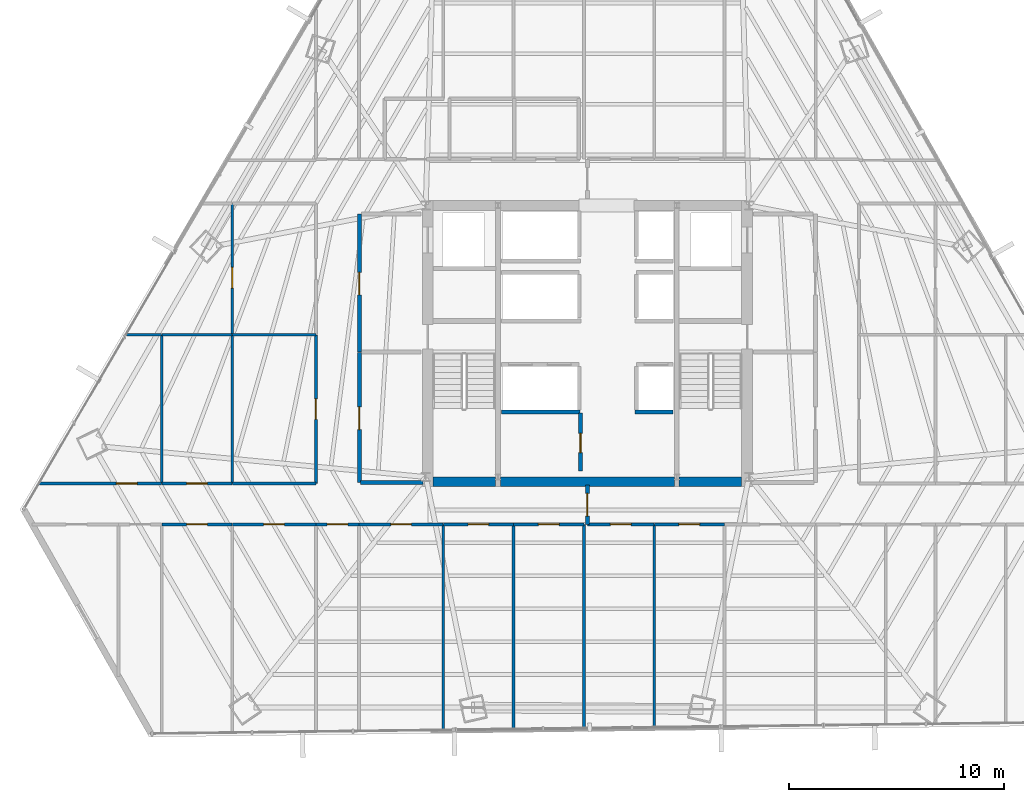
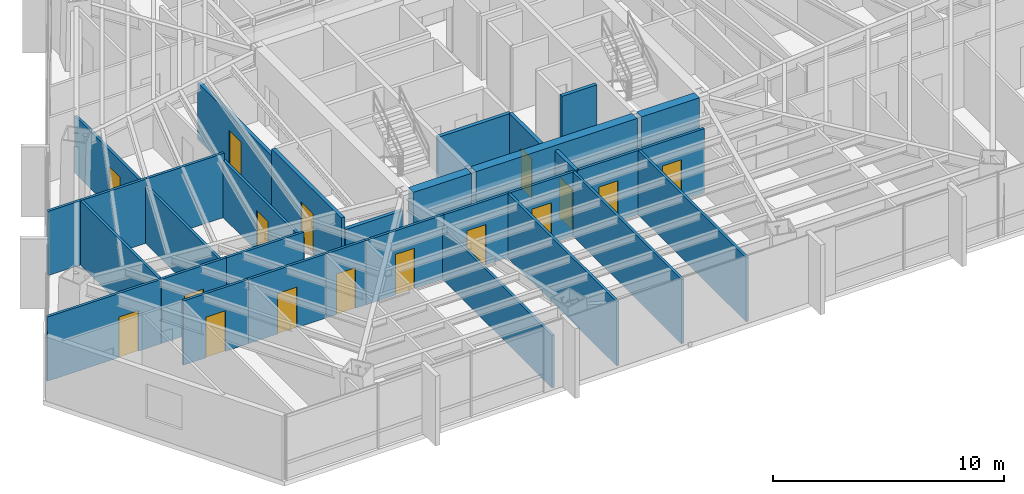
# One storey, part 31 of 37: 32 walls, 16 doors, 16 openings.
"""IFC4 building model written with IfcOpenShell, lengths in metres."""

from ifc_helpers import new_model, si_unit, direction, frame, frame_2d, origin, place, context, subcontext, project, spatial, rectangle, extrude, material, layer, layer_set, type_object, element, fill, save


model = new_model("IFC4")

# Units and contexts
model_context = context("Model", 3, precision=1e-05, world=origin(), true_north=direction((0.0, 1.0)))
body_context = subcontext(model_context, "Body", "Model", "MODEL_VIEW")
ifc_project = project(units=[si_unit("LENGTHUNIT", "METRE"), si_unit("AREAUNIT", "SQUARE_METRE"), si_unit("VOLUMEUNIT", "CUBIC_METRE"), si_unit("PLANEANGLEUNIT", "RADIAN"), si_unit("MASSUNIT", "GRAM", prefix="KILO")], contexts=[model_context])

# Site, building, storey
site_placement = place(None, origin())
site = spatial("IfcSite", under=ifc_project, at=site_placement, CompositionType="ELEMENT")
building_placement = place(site_placement, origin())
building = spatial("IfcBuilding", under=site, at=building_placement, Name="Caelisora Broadcast Tower", CompositionType="ELEMENT")
storey_placement = place(building_placement, frame((0.0, 0.0, 120.0)))
storey = spatial("IfcBuildingStorey", under=building, at=storey_placement, Name="L31", CompositionType="ELEMENT", Elevation=120.0)

# Walls
ifc_material_1 = material(Name="Concrete 50 MPa (AS 3600 S50)", Category="concrete")
ifc_layer_1 = layer(ifc_material_1, 0.449951171875, Name="Concrete 50 MPa (AS 3600 S50)")
ifc_layer_set_1 = layer_set([ifc_layer_1], Name="Concrete 50 MPa (AS 3600 S50)")
wall_type_1 = type_object("IfcWallType", Name="CW5", PredefinedType="SHEAR", material=ifc_layer_set_1)
wall_1_placement = place(storey_placement, frame((30.840087890625, 17.175048828125, 0.0), z_axis=(0.0, 0.0, 1.0), x_axis=(1.0, 0.0, 0.0)))
element("IfcWall", 1, at=wall_1_placement, inside=storey, type_object=wall_type_1, Name="L31 core shear wall CW5", PredefinedType="SHEAR", context=body_context, shape_type="SweptSolid", body=[
    extrude(rectangle(XDim=2.89990234375, YDim=0.449951171875, at=frame_2d((1.449951171875, 0.0))), origin(), (0.0, 0.0, 1.0), 3.64990234375),
])
wall_2_placement = place(storey_placement, frame((33.9599609375, 17.175048828125, 0.0), z_axis=(0.0, 0.0, 1.0), x_axis=(1.0, 0.0, 0.0)))
element("IfcWall", 2, at=wall_2_placement, inside=storey, type_object=wall_type_1, Name="L31 core shear wall CW5", PredefinedType="SHEAR", context=body_context, shape_type="SweptSolid", body=[
    extrude(rectangle(XDim=8.080078125, YDim=0.449951171875, at=frame_2d((4.0400390625, 0.0))), origin(), (0.0, 0.0, 1.0), 3.64990234375),
])
wall_3_placement = place(storey_placement, frame((42.260009765625, 17.175048828125, 0.0), z_axis=(0.0, 0.0, 1.0), x_axis=(1.0, 0.0, 0.0)))
element("IfcWall", 3, at=wall_3_placement, inside=storey, type_object=wall_type_1, Name="L31 core shear wall CW5", PredefinedType="SHEAR", context=body_context, shape_type="SweptSolid", body=[
    extrude(rectangle(XDim=2.89990234375, YDim=0.449951171875, at=frame_2d((1.449951171875, 0.0))), origin(), (0.0, 0.0, 1.0), 3.64990234375),
])

# Wall, opening, door
ifc_material_2 = material(Name="Fire-Rated Gypsum Shaft and Compartment Wall", Category="gypsum")
ifc_layer_2 = layer(ifc_material_2, 0.179931640625, Name="Fire-Rated Gypsum Shaft and Compartment Wall")
ifc_layer_set_2 = layer_set([ifc_layer_2], Name="Fire-Rated Gypsum Shaft and Compartment Wall")
wall_type_2 = type_object("IfcWallType", Name="PW2", PredefinedType="PARTITIONING", material=ifc_layer_set_2)
wall_4_placement = place(storey_placement, frame((27.419921875, 23.199951171875, 0.0), z_axis=(0.0, 0.0, 1.0), x_axis=(0.0, 1.0, 0.0)))
wall_4 = element("IfcWall", 4, at=wall_4_placement, inside=storey, type_object=wall_type_2, Name="L31 fire compartment wall PW2", PredefinedType="PARTITIONING", context=body_context, shape_type="SweptSolid", body=[
    extrude(rectangle(XDim=6.400146484375, YDim=0.179931640625, at=frame_2d((3.2001953125, 0.0))), origin(), (0.0, 0.0, 1.0), 3.0263671875),
])
opening_1_placement = place(wall_4_placement, frame((2.64990234375, 0.0, 0.0)))
opening_1 = element("IfcOpeningElement", 5, at=opening_1_placement, cuts=wall_4, Name="Opening FD02", PredefinedType="OPENING", context=body_context, shape_type="SweptSolid", body=[
    extrude(rectangle(XDim=1.050048828125, YDim=2.14990234375, at=frame_2d((0.52490234375, 1.074951171875))), frame((0.0, 0.10205078125, 0.0), z_axis=(0.0, -1.0, 0.0), x_axis=(1.0, 0.0, 0.0)), (0.0, 0.0, 1.0), 0.203857421875),
])
ifc_material_3 = material(Name="Single-Leaf Steel Fire Lobby Door", Category="steel")
door_type_1 = type_object("IfcDoorType", Name="FD02", OperationType="NOTDEFINED", PredefinedType="DOOR", material=ifc_material_3)
door_1_placement = place(opening_1_placement, origin())
door_1 = element("IfcDoor", 6, at=door_1_placement, inside=storey, type_object=door_type_1, Name="L31 door FD02 (L31-DR-P01D1)", OperationType="SINGLE_SWING_LEFT", OverallHeight=2.14990234375, OverallWidth=1.050048828125, PredefinedType="DOOR", context=body_context, shape_type="SweptSolid", body=[
    extrude(rectangle(XDim=1.050048828125, YDim=2.14990234375, at=frame_2d((0.52490234375, 1.074951171875))), frame((0.0, 0.02490234375, 0.0), z_axis=(0.0, -1.0, 0.0), x_axis=(1.0, 0.0, 0.0)), (0.0, 0.0, 1.0), 0.050048828125),
])
fill(opening_1, door_1)

# Walls
wall_5_placement = place(storey_placement, frame((34.02001953125, 20.419921875, 0.0), z_axis=(0.0, 0.0, 1.0), x_axis=(1.0, 0.0, 0.0)))
element("IfcWall", 7, at=wall_5_placement, inside=storey, type_object=wall_type_2, Name="L31 fire compartment wall PW2", PredefinedType="PARTITIONING", context=body_context, shape_type="SweptSolid", body=[
    extrude(rectangle(XDim=3.639892578125, YDim=0.179931640625, at=frame_2d((1.81982421875, 0.0))), origin(), (0.0, 0.0, 1.0), 3.39990234375),
])
wall_6_placement = place(storey_placement, frame((40.219970703125, 20.419921875, 0.0), z_axis=(0.0, 0.0, 1.0), x_axis=(1.0, 0.0, 0.0)))
element("IfcWall", 8, at=wall_6_placement, inside=storey, type_object=wall_type_2, Name="L31 fire compartment wall PW2", PredefinedType="PARTITIONING", context=body_context, shape_type="SweptSolid", body=[
    extrude(rectangle(XDim=1.760009765625, YDim=0.179931640625, at=frame_2d((0.8798828125, 0.0))), origin(), (0.0, 0.0, 1.0), 3.39990234375),
])

# Wall, opening, door
wall_7_placement = place(storey_placement, frame((37.679931640625, 17.679931640625, 0.0), z_axis=(0.0, 0.0, 1.0), x_axis=(0.0, 1.0, 0.0)))
wall_7 = element("IfcWall", 9, at=wall_7_placement, inside=storey, type_object=wall_type_2, Name="L31 fire compartment wall PW2", PredefinedType="PARTITIONING", context=body_context, shape_type="SweptSolid", body=[
    extrude(rectangle(XDim=2.699951171875, YDim=0.179931640625, at=frame_2d((1.35009765625, 0.0))), origin(), (0.0, 0.0, 1.0), 3.39990234375),
])
opening_2_placement = place(wall_7_placement, frame((0.85009765625, 0.0, 0.0)))
opening_2 = element("IfcOpeningElement", 10, at=opening_2_placement, cuts=wall_7, Name="Opening FD03", PredefinedType="OPENING", context=body_context, shape_type="SweptSolid", body=[
    extrude(rectangle(XDim=0.89990234375, YDim=2.10009765625, at=frame_2d((0.449951171875, 1.050048828125))), frame((0.0, 0.10205078125, 0.0), z_axis=(0.0, -1.0, 0.0), x_axis=(1.0, 0.0, 0.0)), (0.0, 0.0, 1.0), 0.203857421875),
])
ifc_material_4 = material(Name="Single-Leaf Steel Riser Fire Access Door", Category="steel")
door_type_2 = type_object("IfcDoorType", Name="FD03", OperationType="NOTDEFINED", PredefinedType="DOOR", material=ifc_material_4)
door_2_placement = place(opening_2_placement, origin())
door_2 = element("IfcDoor", 11, at=door_2_placement, inside=storey, type_object=door_type_2, Name="L31 door FD03 (L31-DR-P11D1)", OperationType="SINGLE_SWING_LEFT", OverallHeight=2.10009765625, OverallWidth=0.89990234375, PredefinedType="DOOR", context=body_context, shape_type="SweptSolid", body=[
    extrude(rectangle(XDim=0.89990234375, YDim=2.10009765625, at=frame_2d((0.449951171875, 1.050048828125))), frame((0.0, 0.02490234375, 0.0), z_axis=(0.0, -1.0, 0.0), x_axis=(1.0, 0.0, 0.0)), (0.0, 0.0, 1.0), 0.050048828125),
])
fill(opening_2, door_2)

wall_8_placement = place(storey_placement, frame((27.419921875, 17.14990234375, 0.0), z_axis=(0.0, 0.0, 1.0), x_axis=(0.0, 1.0, 0.0)))
wall_8 = element("IfcWall", 12, at=wall_8_placement, inside=storey, type_object=wall_type_2, Name="L31 fire compartment wall PW2", PredefinedType="PARTITIONING", context=body_context, shape_type="SweptSolid", body=[
    extrude(rectangle(XDim=6.030029296875, YDim=0.179931640625, at=frame_2d((3.01513671875, 0.0))), origin(), (0.0, 0.0, 1.0), 3.39990234375),
])
opening_3_placement = place(wall_8_placement, frame((2.449951171875, 0.0, 0.0)))
opening_3 = element("IfcOpeningElement", 13, at=opening_3_placement, cuts=wall_8, Name="Opening FD02", PredefinedType="OPENING", context=body_context, shape_type="SweptSolid", body=[
    extrude(rectangle(XDim=1.050048828125, YDim=2.14990234375, at=frame_2d((0.52490234375, 1.074951171875))), frame((0.0, 0.10205078125, 0.0), z_axis=(0.0, -1.0, 0.0), x_axis=(1.0, 0.0, 0.0)), (0.0, 0.0, 1.0), 0.203857421875),
])
door_3_placement = place(opening_3_placement, origin())
door_3 = element("IfcDoor", 14, at=door_3_placement, inside=storey, type_object=door_type_1, Name="L31 door FD02 (L31-DR-P12D1)", OperationType="SINGLE_SWING_RIGHT", OverallHeight=2.14990234375, OverallWidth=1.050048828125, PredefinedType="DOOR", context=body_context, shape_type="SweptSolid", body=[
    extrude(rectangle(XDim=1.050048828125, YDim=2.14990234375, at=frame_2d((0.52490234375, 1.074951171875))), frame((0.0, 0.02490234375, 0.0), z_axis=(0.0, -1.0, 0.0), x_axis=(1.0, 0.0, 0.0)), (0.0, 0.0, 1.0), 0.050048828125),
])
fill(opening_3, door_3)

# Wall
wall_9_placement = place(storey_placement, frame((27.47998046875, 17.14990234375, 0.0), z_axis=(0.0, 0.0, 1.0), x_axis=(1.0, 0.0, 0.0)))
element("IfcWall", 15, at=wall_9_placement, inside=storey, type_object=wall_type_2, Name="L31 fire compartment wall PW2", PredefinedType="PARTITIONING", context=body_context, shape_type="SweptSolid", body=[
    extrude(rectangle(XDim=2.89990234375, YDim=0.179931640625, at=frame_2d((1.449951171875, 0.0))), origin(), (0.0, 0.0, 1.0), 2.78271484375),
])

# Wall, opening, door
wall_10_placement = place(storey_placement, frame((38.0, 15.205078125, 0.0), z_axis=(0.0, 0.0, 1.0), x_axis=(0.0, 1.0, 0.0)))
wall_10 = element("IfcWall", 16, at=wall_10_placement, inside=storey, type_object=wall_type_2, Name="L31 fire compartment wall PW2", PredefinedType="PARTITIONING", context=body_context, shape_type="SweptSolid", body=[
    extrude(rectangle(XDim=1.81982421875, YDim=0.179931640625, at=frame_2d((0.909912109375, 0.0))), origin(), (0.0, 0.0, 1.0), 3.39990234375),
])
opening_4_placement = place(wall_10_placement, frame((0.385009765625, 0.0, 0.0)))
opening_4 = element("IfcOpeningElement", 17, at=opening_4_placement, cuts=wall_10, Name="Opening FD02", PredefinedType="OPENING", context=body_context, shape_type="SweptSolid", body=[
    extrude(rectangle(XDim=1.050048828125, YDim=2.14990234375, at=frame_2d((0.52490234375, 1.074951171875))), frame((0.0, 0.10205078125, 0.0), z_axis=(0.0, -1.0, 0.0), x_axis=(1.0, 0.0, 0.0)), (0.0, 0.0, 1.0), 0.203857421875),
])
door_4_placement = place(opening_4_placement, origin())
door_4 = element("IfcDoor", 18, at=door_4_placement, inside=storey, type_object=door_type_1, Name="L31 door FD02 (L31-DR-P92D1)", OperationType="SINGLE_SWING_RIGHT", OverallHeight=2.14990234375, OverallWidth=1.050048828125, PredefinedType="DOOR", context=body_context, shape_type="SweptSolid", body=[
    extrude(rectangle(XDim=1.050048828125, YDim=2.14990234375, at=frame_2d((0.52490234375, 1.074951171875))), frame((0.0, 0.02490234375, 0.0), z_axis=(0.0, -1.0, 0.0), x_axis=(1.0, 0.0, 0.0)), (0.0, 0.0, 1.0), 0.050048828125),
])
fill(opening_4, door_4)

# Walls
ifc_material_5 = material(Name="Acoustic Steel-Stud Plasterboard Partition", Category="gypsum")
ifc_layer_3 = layer(ifc_material_5, 0.1298828125, Name="Acoustic Steel-Stud Plasterboard Partition")
ifc_layer_set_3 = layer_set([ifc_layer_3], Name="Acoustic Steel-Stud Plasterboard Partition")
wall_type_3 = type_object("IfcWallType", Name="PW3", PredefinedType="PARTITIONING", material=ifc_layer_set_3)
wall_11_placement = place(storey_placement, frame((31.31005859375, 5.65185546875, 0.0), z_axis=(0.0, 0.0, 1.0), x_axis=(0.0, 1.0, 0.0)))
element("IfcWall", 19, at=wall_11_placement, inside=storey, type_object=wall_type_3, Name="L31 internal partition PW3", PredefinedType="PARTITIONING", context=body_context, shape_type="SweptSolid", body=[
    extrude(rectangle(XDim=9.543212890625, YDim=0.1298828125, at=frame_2d((4.771484375, 0.0))), origin(), (0.0, 0.0, 1.0), 2.78271484375),
])
wall_12_placement = place(storey_placement, frame((34.570068359375, 5.6923828125, 0.0), z_axis=(0.0, 0.0, 1.0), x_axis=(0.0, 1.0, 0.0)))
element("IfcWall", 20, at=wall_12_placement, inside=storey, type_object=wall_type_3, Name="L31 internal partition PW3", PredefinedType="PARTITIONING", context=body_context, shape_type="SweptSolid", body=[
    extrude(rectangle(XDim=9.502685546875, YDim=0.1298828125, at=frame_2d((4.75146484375, 0.0))), origin(), (0.0, 0.0, 1.0), 3.39990234375),
])
wall_13_placement = place(storey_placement, frame((37.840087890625, 5.733154296875, 0.0), z_axis=(0.0, 0.0, 1.0), x_axis=(0.0, 1.0, 0.0)))
element("IfcWall", 21, at=wall_13_placement, inside=storey, type_object=wall_type_3, Name="L31 internal partition PW3", PredefinedType="PARTITIONING", context=body_context, shape_type="SweptSolid", body=[
    extrude(rectangle(XDim=9.4619140625, YDim=0.1298828125, at=frame_2d((4.73095703125, 0.0))), origin(), (0.0, 0.0, 1.0), 3.39990234375),
])
wall_14_placement = place(storey_placement, frame((41.10009765625, 5.773681640625, 0.0), z_axis=(0.0, 0.0, 1.0), x_axis=(0.0, 1.0, 0.0)))
element("IfcWall", 22, at=wall_14_placement, inside=storey, type_object=wall_type_3, Name="L31 internal partition PW3", PredefinedType="PARTITIONING", context=body_context, shape_type="SweptSolid", body=[
    extrude(rectangle(XDim=9.42138671875, YDim=0.1298828125, at=frame_2d((4.710693359375, 0.0))), origin(), (0.0, 0.0, 1.0), 3.39990234375),
])

# Wall, opening, door
wall_15_placement = place(storey_placement, frame((25.39990234375, 17.10498046875, 0.0), z_axis=(0.0, 0.0, 1.0), x_axis=(0.0, 1.0, 0.0)))
wall_15 = element("IfcWall", 23, at=wall_15_placement, inside=storey, type_object=wall_type_3, Name="L31 internal partition PW3", PredefinedType="PARTITIONING", context=body_context, shape_type="SweptSolid", body=[
    extrude(rectangle(XDim=6.89013671875, YDim=0.1298828125, at=frame_2d((3.445068359375, 0.0))), origin(), (0.0, 0.0, 1.0), 3.0263671875),
])
opening_5_placement = place(wall_15_placement, frame((2.965087890625, 0.0, 0.0)))
opening_5 = element("IfcOpeningElement", 24, at=opening_5_placement, cuts=wall_15, Name="Opening D01", PredefinedType="OPENING", context=body_context, shape_type="SweptSolid", body=[
    extrude(rectangle(XDim=0.9599609375, YDim=2.14990234375, at=frame_2d((0.47998046875, 1.074951171875))), frame((0.0, 0.076904296875, 0.0), z_axis=(0.0, -1.0, 0.0), x_axis=(1.0, 0.0, 0.0)), (0.0, 0.0, 1.0), 0.15380859375),
])
ifc_material_6 = material(Name="Solid-Core Timber Acoustic Office Door", Category="wood")
door_type_3 = type_object("IfcDoorType", Name="D01", OperationType="NOTDEFINED", PredefinedType="DOOR", material=ifc_material_6)
door_5_placement = place(opening_5_placement, origin())
door_5 = element("IfcDoor", 25, at=door_5_placement, inside=storey, type_object=door_type_3, Name="L31 door D01 (L31-DR-P48D1)", OperationType="SINGLE_SWING_LEFT", OverallHeight=2.14990234375, OverallWidth=0.9599609375, PredefinedType="DOOR", context=body_context, shape_type="SweptSolid", body=[
    extrude(rectangle(XDim=0.9599609375, YDim=2.14990234375, at=frame_2d((0.47998046875, 1.074951171875))), frame((0.0, 0.02490234375, 0.0), z_axis=(0.0, -1.0, 0.0), x_axis=(1.0, 0.0, 0.0)), (0.0, 0.0, 1.0), 0.050048828125),
])
fill(opening_5, door_5)

# Walls
wall_16_placement = place(storey_placement, frame((18.25, 17.10498046875, 0.0), z_axis=(0.0, 0.0, 1.0), x_axis=(0.0, 1.0, 0.0)))
element("IfcWall", 26, at=wall_16_placement, inside=storey, type_object=wall_type_3, Name="L31 internal partition PW3", PredefinedType="PARTITIONING", context=body_context, shape_type="SweptSolid", body=[
    extrude(rectangle(XDim=6.89013671875, YDim=0.1298828125, at=frame_2d((3.445068359375, 0.0))), origin(), (0.0, 0.0, 1.0), 3.39990234375),
])
wall_17_placement = place(storey_placement, frame((21.52001953125, 17.10498046875, 0.0), z_axis=(0.0, 0.0, 1.0), x_axis=(0.0, 1.0, 0.0)))
element("IfcWall", 27, at=wall_17_placement, inside=storey, type_object=wall_type_3, Name="L31 internal partition PW3", PredefinedType="PARTITIONING", context=body_context, shape_type="SweptSolid", body=[
    extrude(rectangle(XDim=6.89013671875, YDim=0.1298828125, at=frame_2d((3.445068359375, 0.0))), origin(), (0.0, 0.0, 1.0), 3.0263671875),
])

# Wall, opening, door
wall_18_placement = place(storey_placement, frame((21.52001953125, 24.0048828125, 0.0), z_axis=(0.0, 0.0, 1.0), x_axis=(0.0, 1.0, 0.0)))
wall_18 = element("IfcWall", 28, at=wall_18_placement, inside=storey, type_object=wall_type_3, Name="L31 internal partition PW3", PredefinedType="PARTITIONING", context=body_context, shape_type="SweptSolid", body=[
    extrude(rectangle(XDim=6.090087890625, YDim=0.1298828125, at=frame_2d((3.044921875, 0.0))), origin(), (0.0, 0.0, 1.0), 3.0263671875),
])
opening_6_placement = place(wall_18_placement, frame((2.159912109375, 0.0, 0.0)))
opening_6 = element("IfcOpeningElement", 29, at=opening_6_placement, cuts=wall_18, Name="Opening D01", PredefinedType="OPENING", context=body_context, shape_type="SweptSolid", body=[
    extrude(rectangle(XDim=0.9599609375, YDim=2.14990234375, at=frame_2d((0.47998046875, 1.074951171875))), frame((0.0, 0.076904296875, 0.0), z_axis=(0.0, -1.0, 0.0), x_axis=(1.0, 0.0, 0.0)), (0.0, 0.0, 1.0), 0.15380859375),
])
door_6_placement = place(opening_6_placement, origin())
door_6 = element("IfcDoor", 30, at=door_6_placement, inside=storey, type_object=door_type_3, Name="L31 door D01 (L31-DR-P58D1)", OperationType="SINGLE_SWING_LEFT", OverallHeight=2.14990234375, OverallWidth=0.9599609375, PredefinedType="DOOR", context=body_context, shape_type="SweptSolid", body=[
    extrude(rectangle(XDim=0.9599609375, YDim=2.14990234375, at=frame_2d((0.47998046875, 1.074951171875))), frame((0.0, 0.02490234375, 0.0), z_axis=(0.0, -1.0, 0.0), x_axis=(1.0, 0.0, 0.0)), (0.0, 0.0, 1.0), 0.050048828125),
])
fill(opening_6, door_6)

wall_19_placement = place(storey_placement, frame((12.54150390625, 17.10009765625, 0.0), z_axis=(0.0, 0.0, 1.0), x_axis=(1.0, 0.0, 0.0)))
wall_19 = element("IfcWall", 31, at=wall_19_placement, inside=storey, type_object=wall_type_3, Name="L31 internal partition PW3", PredefinedType="PARTITIONING", context=body_context, shape_type="SweptSolid", body=[
    extrude(rectangle(XDim=5.70361328125, YDim=0.1298828125, at=frame_2d((2.851806640625, 0.0))), origin(), (0.0, 0.0, 1.0), 3.39990234375),
])
opening_7_placement = place(wall_19_placement, frame((3.60009765625, 0.0, 0.0)))
opening_7 = element("IfcOpeningElement", 32, at=opening_7_placement, cuts=wall_19, Name="Opening D01", PredefinedType="OPENING", context=body_context, shape_type="SweptSolid", body=[
    extrude(rectangle(XDim=0.9599609375, YDim=2.14990234375, at=frame_2d((0.47998046875, 1.074951171875))), frame((0.0, 0.076904296875, 0.0), z_axis=(0.0, -1.0, 0.0), x_axis=(1.0, 0.0, 0.0)), (0.0, 0.0, 1.0), 0.15380859375),
])
door_7_placement = place(opening_7_placement, origin())
door_7 = element("IfcDoor", 33, at=door_7_placement, inside=storey, type_object=door_type_3, Name="L31 door D01 (L31-DR-P59D1)", OperationType="SINGLE_SWING_RIGHT", OverallHeight=2.14990234375, OverallWidth=0.9599609375, PredefinedType="DOOR", context=body_context, shape_type="SweptSolid", body=[
    extrude(rectangle(XDim=0.9599609375, YDim=2.14990234375, at=frame_2d((0.47998046875, 1.074951171875))), frame((0.0, 0.02490234375, 0.0), z_axis=(0.0, -1.0, 0.0), x_axis=(1.0, 0.0, 0.0)), (0.0, 0.0, 1.0), 0.050048828125),
])
fill(opening_7, door_7)

wall_20_placement = place(storey_placement, frame((27.405029296875, 15.199951171875, 0.0), z_axis=(0.0, 0.0, 1.0), x_axis=(1.0, 0.0, 0.0)))
wall_20 = element("IfcWall", 34, at=wall_20_placement, inside=storey, type_object=wall_type_3, Name="L31 internal partition PW3", PredefinedType="PARTITIONING", context=body_context, shape_type="SweptSolid", body=[
    extrude(rectangle(XDim=3.89990234375, YDim=0.1298828125, at=frame_2d((1.949951171875, 0.0))), origin(), (0.0, 0.0, 1.0), 3.39990234375),
])
opening_8_placement = place(wall_20_placement, frame((1.469970703125, 0.0, 0.0)))
opening_8 = element("IfcOpeningElement", 35, at=opening_8_placement, cuts=wall_20, Name="Opening D01", PredefinedType="OPENING", context=body_context, shape_type="SweptSolid", body=[
    extrude(rectangle(XDim=0.9599609375, YDim=2.14990234375, at=frame_2d((0.47998046875, 1.074951171875))), frame((0.0, 0.076904296875, 0.0), z_axis=(0.0, -1.0, 0.0), x_axis=(1.0, 0.0, 0.0)), (0.0, 0.0, 1.0), 0.15380859375),
])
door_8_placement = place(opening_8_placement, origin())
door_8 = element("IfcDoor", 36, at=door_8_placement, inside=storey, type_object=door_type_3, Name="L31 door D01 (L31-DR-P64D1)", OperationType="SINGLE_SWING_LEFT", OverallHeight=2.14990234375, OverallWidth=0.9599609375, PredefinedType="DOOR", context=body_context, shape_type="SweptSolid", body=[
    extrude(rectangle(XDim=0.9599609375, YDim=2.14990234375, at=frame_2d((0.47998046875, 1.074951171875))), frame((0.0, 0.02490234375, 0.0), z_axis=(0.0, -1.0, 0.0), x_axis=(1.0, 0.0, 0.0)), (0.0, 0.0, 1.0), 0.050048828125),
])
fill(opening_8, door_8)

# Wall
wall_21_placement = place(storey_placement, frame((21.52490234375, 17.10009765625, 0.0), z_axis=(0.0, 0.0, 1.0), x_axis=(1.0, 0.0, 0.0)))
element("IfcWall", 37, at=wall_21_placement, inside=storey, type_object=wall_type_3, Name="L31 internal partition PW3", PredefinedType="PARTITIONING", context=body_context, shape_type="SweptSolid", body=[
    extrude(rectangle(XDim=3.8701171875, YDim=0.1298828125, at=frame_2d((1.93505859375, 0.0))), origin(), (0.0, 0.0, 1.0), 3.39990234375),
])

# Wall, opening, door
wall_22_placement = place(storey_placement, frame((21.52490234375, 15.199951171875, 0.0), z_axis=(0.0, 0.0, 1.0), x_axis=(1.0, 0.0, 0.0)))
wall_22 = element("IfcWall", 38, at=wall_22_placement, inside=storey, type_object=wall_type_3, Name="L31 internal partition PW3", PredefinedType="PARTITIONING", context=body_context, shape_type="SweptSolid", body=[
    extrude(rectangle(XDim=3.8701171875, YDim=0.1298828125, at=frame_2d((1.93505859375, 0.0))), origin(), (0.0, 0.0, 1.0), 3.39990234375),
])
opening_9_placement = place(wall_22_placement, frame((1.455078125, 0.0, 0.0)))
opening_9 = element("IfcOpeningElement", 39, at=opening_9_placement, cuts=wall_22, Name="Opening D01", PredefinedType="OPENING", context=body_context, shape_type="SweptSolid", body=[
    extrude(rectangle(XDim=0.9599609375, YDim=2.14990234375, at=frame_2d((0.47998046875, 1.074951171875))), frame((0.0, 0.076904296875, 0.0), z_axis=(0.0, -1.0, 0.0), x_axis=(1.0, 0.0, 0.0)), (0.0, 0.0, 1.0), 0.15380859375),
])
door_9_placement = place(opening_9_placement, origin())
door_9 = element("IfcDoor", 40, at=door_9_placement, inside=storey, type_object=door_type_3, Name="L31 door D01 (L31-DR-P68D1)", OperationType="SINGLE_SWING_RIGHT", OverallHeight=2.14990234375, OverallWidth=0.9599609375, PredefinedType="DOOR", context=body_context, shape_type="SweptSolid", body=[
    extrude(rectangle(XDim=0.9599609375, YDim=2.14990234375, at=frame_2d((0.47998046875, 1.074951171875))), frame((0.0, 0.02490234375, 0.0), z_axis=(0.0, -1.0, 0.0), x_axis=(1.0, 0.0, 0.0)), (0.0, 0.0, 1.0), 0.050048828125),
])
fill(opening_9, door_9)

# Wall
wall_23_placement = place(storey_placement, frame((21.52490234375, 24.0, 0.0), z_axis=(0.0, 0.0, 1.0), x_axis=(1.0, 0.0, 0.0)))
element("IfcWall", 41, at=wall_23_placement, inside=storey, type_object=wall_type_3, Name="L31 internal partition PW3", PredefinedType="PARTITIONING", context=body_context, shape_type="SweptSolid", body=[
    extrude(rectangle(XDim=3.8701171875, YDim=0.1298828125, at=frame_2d((1.93505859375, 0.0))), origin(), (0.0, 0.0, 1.0), 3.39990234375),
])

# Wall, opening, door
wall_24_placement = place(storey_placement, frame((34.574951171875, 15.199951171875, 0.0), z_axis=(0.0, 0.0, 1.0), x_axis=(1.0, 0.0, 0.0)))
wall_24 = element("IfcWall", 42, at=wall_24_placement, inside=storey, type_object=wall_type_3, Name="L31 internal partition PW3", PredefinedType="PARTITIONING", context=body_context, shape_type="SweptSolid", body=[
    extrude(rectangle(XDim=3.260009765625, YDim=0.1298828125, at=frame_2d((1.6298828125, 0.0))), origin(), (0.0, 0.0, 1.0), 3.39990234375),
])
opening_10_placement = place(wall_24_placement, frame((1.14990234375, 0.0, 0.0)))
opening_10 = element("IfcOpeningElement", 43, at=opening_10_placement, cuts=wall_24, Name="Opening D01", PredefinedType="OPENING", context=body_context, shape_type="SweptSolid", body=[
    extrude(rectangle(XDim=0.9599609375, YDim=2.14990234375, at=frame_2d((0.47998046875, 1.074951171875))), frame((0.0, 0.076904296875, 0.0), z_axis=(0.0, -1.0, 0.0), x_axis=(1.0, 0.0, 0.0)), (0.0, 0.0, 1.0), 0.15380859375),
])
door_10_placement = place(opening_10_placement, origin())
door_10 = element("IfcDoor", 44, at=door_10_placement, inside=storey, type_object=door_type_3, Name="L31 door D01 (L31-DR-P74D1)", OperationType="SINGLE_SWING_LEFT", OverallHeight=2.14990234375, OverallWidth=0.9599609375, PredefinedType="DOOR", context=body_context, shape_type="SweptSolid", body=[
    extrude(rectangle(XDim=0.9599609375, YDim=2.14990234375, at=frame_2d((0.47998046875, 1.074951171875))), frame((0.0, 0.02490234375, 0.0), z_axis=(0.0, -1.0, 0.0), x_axis=(1.0, 0.0, 0.0)), (0.0, 0.0, 1.0), 0.050048828125),
])
fill(opening_10, door_10)

wall_25_placement = place(storey_placement, frame((18.2548828125, 17.10009765625, 0.0), z_axis=(0.0, 0.0, 1.0), x_axis=(1.0, 0.0, 0.0)))
wall_25 = element("IfcWall", 45, at=wall_25_placement, inside=storey, type_object=wall_type_3, Name="L31 internal partition PW3", PredefinedType="PARTITIONING", context=body_context, shape_type="SweptSolid", body=[
    extrude(rectangle(XDim=3.260009765625, YDim=0.1298828125, at=frame_2d((1.6298828125, 0.0))), origin(), (0.0, 0.0, 1.0), 3.39990234375),
])
opening_11_placement = place(wall_25_placement, frame((1.14990234375, 0.0, 0.0)))
opening_11 = element("IfcOpeningElement", 46, at=opening_11_placement, cuts=wall_25, Name="Opening D01", PredefinedType="OPENING", context=body_context, shape_type="SweptSolid", body=[
    extrude(rectangle(XDim=0.9599609375, YDim=2.14990234375, at=frame_2d((0.47998046875, 1.074951171875))), frame((0.0, 0.076904296875, 0.0), z_axis=(0.0, -1.0, 0.0), x_axis=(1.0, 0.0, 0.0)), (0.0, 0.0, 1.0), 0.15380859375),
])
door_11_placement = place(opening_11_placement, origin())
door_11 = element("IfcDoor", 47, at=door_11_placement, inside=storey, type_object=door_type_3, Name="L31 door D01 (L31-DR-P78D1)", OperationType="SINGLE_SWING_RIGHT", OverallHeight=2.14990234375, OverallWidth=0.9599609375, PredefinedType="DOOR", context=body_context, shape_type="SweptSolid", body=[
    extrude(rectangle(XDim=0.9599609375, YDim=2.14990234375, at=frame_2d((0.47998046875, 1.074951171875))), frame((0.0, 0.02490234375, 0.0), z_axis=(0.0, -1.0, 0.0), x_axis=(1.0, 0.0, 0.0)), (0.0, 0.0, 1.0), 0.050048828125),
])
fill(opening_11, door_11)

wall_26_placement = place(storey_placement, frame((18.2548828125, 15.199951171875, 0.0), z_axis=(0.0, 0.0, 1.0), x_axis=(1.0, 0.0, 0.0)))
wall_26 = element("IfcWall", 48, at=wall_26_placement, inside=storey, type_object=wall_type_3, Name="L31 internal partition PW3", PredefinedType="PARTITIONING", context=body_context, shape_type="SweptSolid", body=[
    extrude(rectangle(XDim=3.260009765625, YDim=0.1298828125, at=frame_2d((1.6298828125, 0.0))), origin(), (0.0, 0.0, 1.0), 3.39990234375),
])
opening_12_placement = place(wall_26_placement, frame((1.14990234375, 0.0, 0.0)))
opening_12 = element("IfcOpeningElement", 49, at=opening_12_placement, cuts=wall_26, Name="Opening D01", PredefinedType="OPENING", context=body_context, shape_type="SweptSolid", body=[
    extrude(rectangle(XDim=0.9599609375, YDim=2.14990234375, at=frame_2d((0.47998046875, 1.074951171875))), frame((0.0, 0.076904296875, 0.0), z_axis=(0.0, -1.0, 0.0), x_axis=(1.0, 0.0, 0.0)), (0.0, 0.0, 1.0), 0.15380859375),
])
door_12_placement = place(opening_12_placement, origin())
door_12 = element("IfcDoor", 50, at=door_12_placement, inside=storey, type_object=door_type_3, Name="L31 door D01 (L31-DR-P79D1)", OperationType="SINGLE_SWING_LEFT", OverallHeight=2.14990234375, OverallWidth=0.9599609375, PredefinedType="DOOR", context=body_context, shape_type="SweptSolid", body=[
    extrude(rectangle(XDim=0.9599609375, YDim=2.14990234375, at=frame_2d((0.47998046875, 1.074951171875))), frame((0.0, 0.02490234375, 0.0), z_axis=(0.0, -1.0, 0.0), x_axis=(1.0, 0.0, 0.0)), (0.0, 0.0, 1.0), 0.050048828125),
])
fill(opening_12, door_12)

# Wall
wall_27_placement = place(storey_placement, frame((18.2548828125, 24.0, 0.0), z_axis=(0.0, 0.0, 1.0), x_axis=(1.0, 0.0, 0.0)))
element("IfcWall", 51, at=wall_27_placement, inside=storey, type_object=wall_type_3, Name="L31 internal partition PW3", PredefinedType="PARTITIONING", context=body_context, shape_type="SweptSolid", body=[
    extrude(rectangle(XDim=3.260009765625, YDim=0.1298828125, at=frame_2d((1.6298828125, 0.0))), origin(), (0.0, 0.0, 1.0), 3.39990234375),
])

# Wall, opening, door
wall_28_placement = place(storey_placement, frame((31.31494140625, 15.199951171875, 0.0), z_axis=(0.0, 0.0, 1.0), x_axis=(1.0, 0.0, 0.0)))
wall_28 = element("IfcWall", 52, at=wall_28_placement, inside=storey, type_object=wall_type_3, Name="L31 internal partition PW3", PredefinedType="PARTITIONING", context=body_context, shape_type="SweptSolid", body=[
    extrude(rectangle(XDim=3.25, YDim=0.1298828125, at=frame_2d((1.625, 0.0))), origin(), (0.0, 0.0, 1.0), 3.39990234375),
])
opening_13_placement = place(wall_28_placement, frame((1.14501953125, 0.0, 0.0)))
opening_13 = element("IfcOpeningElement", 53, at=opening_13_placement, cuts=wall_28, Name="Opening D01", PredefinedType="OPENING", context=body_context, shape_type="SweptSolid", body=[
    extrude(rectangle(XDim=0.9599609375, YDim=2.14990234375, at=frame_2d((0.47998046875, 1.074951171875))), frame((0.0, 0.076904296875, 0.0), z_axis=(0.0, -1.0, 0.0), x_axis=(1.0, 0.0, 0.0)), (0.0, 0.0, 1.0), 0.15380859375),
])
door_13_placement = place(opening_13_placement, origin())
door_13 = element("IfcDoor", 54, at=door_13_placement, inside=storey, type_object=door_type_3, Name="L31 door D01 (L31-DR-P81D1)", OperationType="SINGLE_SWING_RIGHT", OverallHeight=2.14990234375, OverallWidth=0.9599609375, PredefinedType="DOOR", context=body_context, shape_type="SweptSolid", body=[
    extrude(rectangle(XDim=0.9599609375, YDim=2.14990234375, at=frame_2d((0.47998046875, 1.074951171875))), frame((0.0, 0.02490234375, 0.0), z_axis=(0.0, -1.0, 0.0), x_axis=(1.0, 0.0, 0.0)), (0.0, 0.0, 1.0), 0.050048828125),
])
fill(opening_13, door_13)

wall_29_placement = place(storey_placement, frame((41.10498046875, 15.199951171875, 0.0), z_axis=(0.0, 0.0, 1.0), x_axis=(1.0, 0.0, 0.0)))
wall_29 = element("IfcWall", 55, at=wall_29_placement, inside=storey, type_object=wall_type_3, Name="L31 internal partition PW3", PredefinedType="PARTITIONING", context=body_context, shape_type="SweptSolid", body=[
    extrude(rectangle(XDim=3.25, YDim=0.1298828125, at=frame_2d((1.625, 0.0))), origin(), (0.0, 0.0, 1.0), 3.39990234375),
])
opening_14_placement = place(wall_29_placement, frame((1.14501953125, 0.0, 0.0)))
opening_14 = element("IfcOpeningElement", 56, at=opening_14_placement, cuts=wall_29, Name="Opening D01", PredefinedType="OPENING", context=body_context, shape_type="SweptSolid", body=[
    extrude(rectangle(XDim=0.9599609375, YDim=2.14990234375, at=frame_2d((0.47998046875, 1.074951171875))), frame((0.0, 0.076904296875, 0.0), z_axis=(0.0, -1.0, 0.0), x_axis=(1.0, 0.0, 0.0)), (0.0, 0.0, 1.0), 0.15380859375),
])
door_14_placement = place(opening_14_placement, origin())
door_14 = element("IfcDoor", 57, at=door_14_placement, inside=storey, type_object=door_type_3, Name="L31 door D01 (L31-DR-P83D1)", OperationType="SINGLE_SWING_RIGHT", OverallHeight=2.14990234375, OverallWidth=0.9599609375, PredefinedType="DOOR", context=body_context, shape_type="SweptSolid", body=[
    extrude(rectangle(XDim=0.9599609375, YDim=2.14990234375, at=frame_2d((0.47998046875, 1.074951171875))), frame((0.0, 0.02490234375, 0.0), z_axis=(0.0, -1.0, 0.0), x_axis=(1.0, 0.0, 0.0)), (0.0, 0.0, 1.0), 0.050048828125),
])
fill(opening_14, door_14)

wall_30_placement = place(storey_placement, frame((38.0048828125, 15.199951171875, 0.0), z_axis=(0.0, 0.0, 1.0), x_axis=(1.0, 0.0, 0.0)))
wall_30 = element("IfcWall", 58, at=wall_30_placement, inside=storey, type_object=wall_type_3, Name="L31 internal partition PW3", PredefinedType="PARTITIONING", context=body_context, shape_type="SweptSolid", body=[
    extrude(rectangle(XDim=3.090087890625, YDim=0.1298828125, at=frame_2d((1.544921875, 0.0))), origin(), (0.0, 0.0, 1.0), 3.39990234375),
])
opening_15_placement = place(wall_30_placement, frame((1.06494140625, 0.0, 0.0)))
opening_15 = element("IfcOpeningElement", 59, at=opening_15_placement, cuts=wall_30, Name="Opening D01", PredefinedType="OPENING", context=body_context, shape_type="SweptSolid", body=[
    extrude(rectangle(XDim=0.9599609375, YDim=2.14990234375, at=frame_2d((0.47998046875, 1.074951171875))), frame((0.0, 0.076904296875, 0.0), z_axis=(0.0, -1.0, 0.0), x_axis=(1.0, 0.0, 0.0)), (0.0, 0.0, 1.0), 0.15380859375),
])
door_15_placement = place(opening_15_placement, origin())
door_15 = element("IfcDoor", 60, at=door_15_placement, inside=storey, type_object=door_type_3, Name="L31 door D01 (L31-DR-P86D1)", OperationType="SINGLE_SWING_LEFT", OverallHeight=2.14990234375, OverallWidth=0.9599609375, PredefinedType="DOOR", context=body_context, shape_type="SweptSolid", body=[
    extrude(rectangle(XDim=0.9599609375, YDim=2.14990234375, at=frame_2d((0.47998046875, 1.074951171875))), frame((0.0, 0.02490234375, 0.0), z_axis=(0.0, -1.0, 0.0), x_axis=(1.0, 0.0, 0.0)), (0.0, 0.0, 1.0), 0.050048828125),
])
fill(opening_15, door_15)

wall_31_placement = place(storey_placement, frame((25.405029296875, 15.199951171875, 0.0), z_axis=(0.0, 0.0, 1.0), x_axis=(1.0, 0.0, 0.0)))
wall_31 = element("IfcWall", 61, at=wall_31_placement, inside=storey, type_object=wall_type_3, Name="L31 internal partition PW3", PredefinedType="PARTITIONING", context=body_context, shape_type="SweptSolid", body=[
    extrude(rectangle(XDim=1.989990234375, YDim=0.1298828125, at=frame_2d((0.9951171875, 0.0))), origin(), (0.0, 0.0, 1.0), 3.39990234375),
])
opening_16_placement = place(wall_31_placement, frame((0.514892578125, 0.0, 0.0)))
opening_16 = element("IfcOpeningElement", 62, at=opening_16_placement, cuts=wall_31, Name="Opening D01", PredefinedType="OPENING", context=body_context, shape_type="SweptSolid", body=[
    extrude(rectangle(XDim=0.9599609375, YDim=2.14990234375, at=frame_2d((0.47998046875, 1.074951171875))), frame((0.0, 0.076904296875, 0.0), z_axis=(0.0, -1.0, 0.0), x_axis=(1.0, 0.0, 0.0)), (0.0, 0.0, 1.0), 0.15380859375),
])
door_16_placement = place(opening_16_placement, origin())
door_16 = element("IfcDoor", 63, at=door_16_placement, inside=storey, type_object=door_type_3, Name="L31 door D01 (L31-DR-P90D1)", OperationType="SINGLE_SWING_LEFT", OverallHeight=2.14990234375, OverallWidth=0.9599609375, PredefinedType="DOOR", context=body_context, shape_type="SweptSolid", body=[
    extrude(rectangle(XDim=0.9599609375, YDim=2.14990234375, at=frame_2d((0.47998046875, 1.074951171875))), frame((0.0, 0.02490234375, 0.0), z_axis=(0.0, -1.0, 0.0), x_axis=(1.0, 0.0, 0.0)), (0.0, 0.0, 1.0), 0.050048828125),
])
fill(opening_16, door_16)

# Wall
wall_32_placement = place(storey_placement, frame((16.5732421875, 24.0, 0.0), z_axis=(0.0, 0.0, 1.0), x_axis=(1.0, 0.0, 0.0)))
element("IfcWall", 64, at=wall_32_placement, inside=storey, type_object=wall_type_3, Name="L31 internal partition PW3", PredefinedType="PARTITIONING", context=body_context, shape_type="SweptSolid", body=[
    extrude(rectangle(XDim=1.671875, YDim=0.1298828125, at=frame_2d((0.8359375, 0.0))), origin(), (0.0, 0.0, 1.0), 3.39990234375),
])

save(model, "model.ifc")
